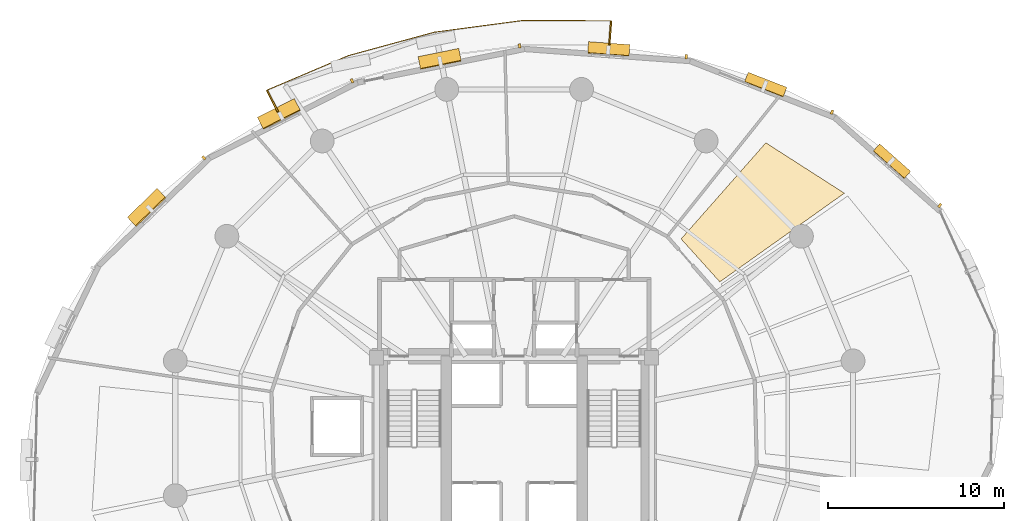
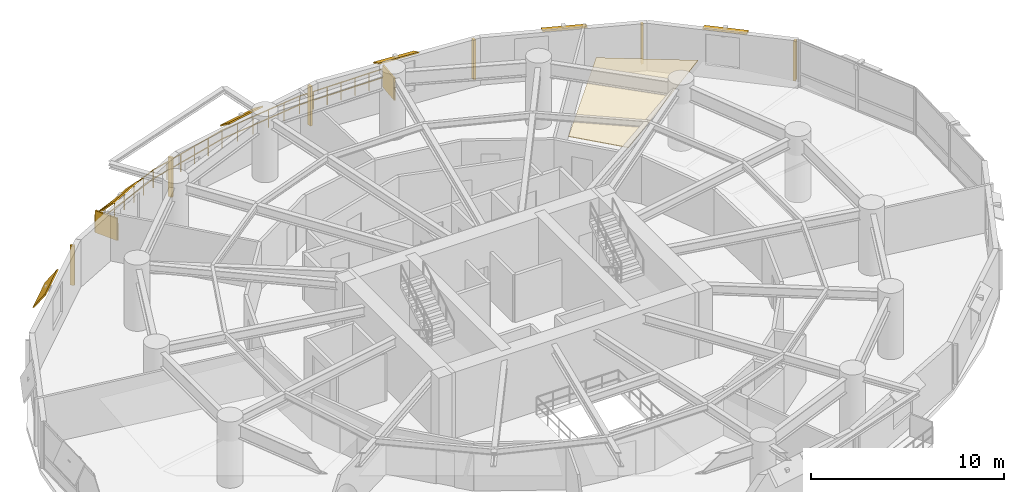
# One storey, part 17 of 17: 14 shading devices, 1 covering, 1 railing.
"""IFC4 building model written with IfcOpenShell, lengths in metres."""

from ifc_helpers import new_model, si_unit, direction, frame, origin, origin_2d, place, context, subcontext, project, spatial, polyline, rectangle, outline, extrude, material, layer, layer_set, type_object, element, save


model = new_model("IFC4")

# Units and contexts
model_context = context("Model", 3, precision=1e-05, world=origin(), true_north=direction((0.0, 1.0)))
body_context = subcontext(model_context, "Body", "Model", "MODEL_VIEW")
ifc_project = project(units=[si_unit("LENGTHUNIT", "METRE"), si_unit("AREAUNIT", "SQUARE_METRE"), si_unit("VOLUMEUNIT", "CUBIC_METRE"), si_unit("PLANEANGLEUNIT", "RADIAN"), si_unit("MASSUNIT", "GRAM", prefix="KILO"), si_unit("THERMODYNAMICTEMPERATUREUNIT", "KELVIN"), si_unit("POWERUNIT", "WATT")], contexts=[model_context])

# Site, building, storey
site_placement = place(None, origin())
site = spatial("IfcSite", under=ifc_project, at=site_placement, CompositionType="ELEMENT")
building_placement = place(site_placement, origin())
building = spatial("IfcBuilding", under=site, at=building_placement, Name="Ocrelia Relay Tower", CompositionType="ELEMENT")
storey_placement = place(building_placement, frame((0.0, 0.0, 80.39990234375)))
storey = spatial("IfcBuildingStorey", under=building, at=storey_placement, Name="L18", CompositionType="ELEMENT", Elevation=80.39990234375)

# Covering
ifc_material_1 = material(Name="Cleanroom metal-pan acoustic ceiling", Category="aluminium")
ifc_layer_1 = layer(ifc_material_1, 0.0400390625, Name="Cleanroom metal-pan acoustic ceiling")
ifc_layer_set_1 = layer_set([ifc_layer_1], Name="Cleanroom metal-pan acoustic ceiling")
covering_type = type_object("IfcCoveringType", Name="COV-CEIL-CLEAN", PredefinedType="CEILING", material=ifc_layer_set_1)
covering_placement = place(storey_placement, frame((0.0, 0.0, 2.920166015625)))
element("IfcCovering", 1, at=covering_placement, inside=storey, type_object=covering_type, Name="L18 Colocation Data Hall A Suspended Ceiling 4", PredefinedType="CEILING", context=body_context, shape_type="SweptSolid", body=[
    extrude(outline(polyline([(45.665283203125, 34.305419921875), (52.73193359375, 39.336669921875), (48.277587890625, 42.19482421875), (43.469970703125, 36.74169921875), (45.665283203125, 34.305419921875)])), origin(), (0.0, 0.0, 1.0), 0.0400390625),
])

# Railing
ifc_material_2 = material(Name="Steel S355 balustrade", Category="steel")
railing_type = type_object("IfcRailingType", Name="RL-EXT-GUARD-1150", PredefinedType="GUARDRAIL", material=ifc_material_2)
railing_placement = place(storey_placement, frame((20.605224609375, 43.938720703125, 0.0)))
element("IfcRailing", 2, at=railing_placement, inside=storey, type_object=railing_type, Name="L18 Loggia Balcony Guard Rail B1", PredefinedType="GUARDRAIL", context=body_context, shape_type="SweptSolid", body=[
    extrude(rectangle(XDim=0.048095703125, YDim=0.048095703125, at=origin_2d()), frame((0.0, 0.0, 1.1259765625), z_axis=(-0.454975235627, 0.89050409037, 0.0), x_axis=(-0.89050409037, -0.454975235627, 0.0)), (0.0, 0.0, 1.0), 1.3935546875),
    extrude(rectangle(XDim=0.048095703125, YDim=0.048095703125, at=origin_2d()), frame((0.0, 0.0, 0.574951171875), z_axis=(-0.454975235627, 0.89050409037, 0.0), x_axis=(-0.89050409037, -0.454975235627, 0.0)), (0.0, 0.0, 1.0), 1.3935546875),
    extrude(rectangle(XDim=0.048095703125, YDim=0.048095703125, at=origin_2d()), frame((-0.634033203125, 1.240966796875, 1.1259765625), z_axis=(0.920340566421, 0.391117938478, 0.0), x_axis=(-0.391117938478, 0.920340566421, 0.0)), (0.0, 0.0, 1.0), 2.5048828125),
    extrude(rectangle(XDim=0.048095703125, YDim=0.048095703125, at=origin_2d()), frame((-0.634033203125, 1.240966796875, 0.574951171875), z_axis=(0.920340566421, 0.391117938478, 0.0), x_axis=(-0.391117938478, 0.920340566421, 0.0)), (0.0, 0.0, 1.0), 2.5048828125),
    extrude(rectangle(XDim=0.048095703125, YDim=0.048095703125, at=origin_2d()), frame((1.67138671875, 2.220703125, 1.1259765625), z_axis=(0.920355473605, 0.39108285849, 0.0), x_axis=(-0.39108285849, 0.920355473605, 0.0)), (0.0, 0.0, 1.0), 2.505126953125),
    extrude(rectangle(XDim=0.048095703125, YDim=0.048095703125, at=origin_2d()), frame((1.67138671875, 2.220703125, 0.574951171875), z_axis=(0.920355473605, 0.39108285849, 0.0), x_axis=(-0.39108285849, 0.920355473605, 0.0)), (0.0, 0.0, 1.0), 2.505126953125),
    extrude(rectangle(XDim=0.048095703125, YDim=0.048095703125, at=origin_2d()), frame((3.97705078125, 3.200439453125, 1.1259765625), z_axis=(0.964811636532, 0.262942020248, 0.0), x_axis=(-0.262942020248, 0.964811636532, 0.0)), (0.0, 0.0, 1.0), 5.06494140625),
    extrude(rectangle(XDim=0.048095703125, YDim=0.048095703125, at=origin_2d()), frame((3.97705078125, 3.200439453125, 0.574951171875), z_axis=(0.964811636532, 0.262942020248, 0.0), x_axis=(-0.262942020248, 0.964811636532, 0.0)), (0.0, 0.0, 1.0), 5.06494140625),
    extrude(rectangle(XDim=0.048095703125, YDim=0.048095703125, at=origin_2d()), frame((8.86376953125, 4.5322265625, 1.1259765625), z_axis=(0.991311471237, 0.131535421063, 0.0), x_axis=(-0.131535421063, 0.991311471237, 0.0)), (0.0, 0.0, 1.0), 5.065185546875),
    extrude(rectangle(XDim=0.048095703125, YDim=0.048095703125, at=origin_2d()), frame((8.86376953125, 4.5322265625, 0.574951171875), z_axis=(0.991311471237, 0.131535421063, 0.0), x_axis=(-0.131535421063, 0.991311471237, 0.0)), (0.0, 0.0, 1.0), 5.065185546875),
    extrude(rectangle(XDim=0.048095703125, YDim=0.048095703125, at=origin_2d()), frame((13.885009765625, 5.198486328125, 1.1259765625), z_axis=(0.999992015683, -0.003996069458, 0.0), x_axis=(0.003996069458, 0.999992015683, 0.0)), (0.0, 0.0, 1.0), 2.5048828125),
    extrude(rectangle(XDim=0.048095703125, YDim=0.048095703125, at=origin_2d()), frame((13.885009765625, 5.198486328125, 0.574951171875), z_axis=(0.999992015683, -0.003996069458, 0.0), x_axis=(0.003996069458, 0.999992015683, 0.0)), (0.0, 0.0, 1.0), 2.5048828125),
    extrude(rectangle(XDim=0.048095703125, YDim=0.048095703125, at=origin_2d()), frame((16.389892578125, 5.1884765625, 1.1259765625), z_axis=(0.999992015683, -0.003996069458, 0.0), x_axis=(0.003996069458, 0.999992015683, 0.0)), (0.0, 0.0, 1.0), 2.5048828125),
    extrude(rectangle(XDim=0.048095703125, YDim=0.048095703125, at=origin_2d()), frame((16.389892578125, 5.1884765625, 0.574951171875), z_axis=(0.999992015683, -0.003996069458, 0.0), x_axis=(0.003996069458, 0.999992015683, 0.0)), (0.0, 0.0, 1.0), 2.5048828125),
    extrude(rectangle(XDim=0.048095703125, YDim=0.048095703125, at=origin_2d()), frame((18.894775390625, 5.178466796875, 1.1259765625), z_axis=(-0.074297682243, -0.997236107656, 0.0), x_axis=(0.997236107656, -0.074297682243, 0.0)), (0.0, 0.0, 1.0), 1.393310546875),
    extrude(rectangle(XDim=0.048095703125, YDim=0.048095703125, at=origin_2d()), frame((18.894775390625, 5.178466796875, 0.574951171875), z_axis=(-0.074297682243, -0.997236107656, 0.0), x_axis=(0.997236107656, -0.074297682243, 0.0)), (0.0, 0.0, 1.0), 1.393310546875),
    extrude(rectangle(XDim=0.0419921875, YDim=0.0419921875, at=origin_2d()), origin(), (0.0, 0.0, 1.0), 1.101806640625),
    extrude(rectangle(XDim=0.0419921875, YDim=0.0419921875, at=origin_2d()), frame((-0.31689453125, 0.62060546875, 0.0)), (0.0, 0.0, 1.0), 1.101806640625),
    extrude(rectangle(XDim=0.0419921875, YDim=0.0419921875, at=origin_2d()), frame((-0.634033203125, 1.240966796875, 0.0)), (0.0, 0.0, 1.0), 1.101806640625),
    extrude(rectangle(XDim=0.0419921875, YDim=0.0419921875, at=origin_2d()), frame((0.134521484375, 1.567626953125, 0.0)), (0.0, 0.0, 1.0), 1.101806640625),
    extrude(rectangle(XDim=0.0419921875, YDim=0.0419921875, at=origin_2d()), frame((0.90283203125, 1.89404296875, 0.0)), (0.0, 0.0, 1.0), 1.101806640625),
    extrude(rectangle(XDim=0.0419921875, YDim=0.0419921875, at=origin_2d()), frame((1.67138671875, 2.220703125, 0.0)), (0.0, 0.0, 1.0), 1.101806640625),
    extrude(rectangle(XDim=0.0419921875, YDim=0.0419921875, at=origin_2d()), frame((2.43994140625, 2.54736328125, 0.0)), (0.0, 0.0, 1.0), 1.101806640625),
    extrude(rectangle(XDim=0.0419921875, YDim=0.0419921875, at=origin_2d()), frame((3.20849609375, 2.873779296875, 0.0)), (0.0, 0.0, 1.0), 1.101806640625),
    extrude(rectangle(XDim=0.0419921875, YDim=0.0419921875, at=origin_2d()), frame((3.97705078125, 3.200439453125, 0.0)), (0.0, 0.0, 1.0), 1.101806640625),
    extrude(rectangle(XDim=0.0419921875, YDim=0.0419921875, at=origin_2d()), frame((4.954345703125, 3.466796875, 0.0)), (0.0, 0.0, 1.0), 1.101806640625),
    extrude(rectangle(XDim=0.0419921875, YDim=0.0419921875, at=origin_2d()), frame((5.931640625, 3.733154296875, 0.0)), (0.0, 0.0, 1.0), 1.101806640625),
    extrude(rectangle(XDim=0.0419921875, YDim=0.0419921875, at=origin_2d()), frame((6.9091796875, 3.99951171875, 0.0)), (0.0, 0.0, 1.0), 1.101806640625),
    extrude(rectangle(XDim=0.0419921875, YDim=0.0419921875, at=origin_2d()), frame((7.886474609375, 4.265869140625, 0.0)), (0.0, 0.0, 1.0), 1.101806640625),
    extrude(rectangle(XDim=0.0419921875, YDim=0.0419921875, at=origin_2d()), frame((8.86376953125, 4.5322265625, 0.0)), (0.0, 0.0, 1.0), 1.101806640625),
    extrude(rectangle(XDim=0.0419921875, YDim=0.0419921875, at=origin_2d()), frame((9.867919921875, 4.66552734375, 0.0)), (0.0, 0.0, 1.0), 1.101806640625),
    extrude(rectangle(XDim=0.0419921875, YDim=0.0419921875, at=origin_2d()), frame((10.872314453125, 4.798828125, 0.0)), (0.0, 0.0, 1.0), 1.101806640625),
    extrude(rectangle(XDim=0.0419921875, YDim=0.0419921875, at=origin_2d()), frame((11.87646484375, 4.931884765625, 0.0)), (0.0, 0.0, 1.0), 1.101806640625),
    extrude(rectangle(XDim=0.0419921875, YDim=0.0419921875, at=origin_2d()), frame((12.880859375, 5.065185546875, 0.0)), (0.0, 0.0, 1.0), 1.101806640625),
    extrude(rectangle(XDim=0.0419921875, YDim=0.0419921875, at=origin_2d()), frame((13.885009765625, 5.198486328125, 0.0)), (0.0, 0.0, 1.0), 1.101806640625),
    extrude(rectangle(XDim=0.0419921875, YDim=0.0419921875, at=origin_2d()), frame((14.719970703125, 5.195068359375, 0.0)), (0.0, 0.0, 1.0), 1.101806640625),
    extrude(rectangle(XDim=0.0419921875, YDim=0.0419921875, at=origin_2d()), frame((15.554931640625, 5.19189453125, 0.0)), (0.0, 0.0, 1.0), 1.101806640625),
    extrude(rectangle(XDim=0.0419921875, YDim=0.0419921875, at=origin_2d()), frame((16.389892578125, 5.1884765625, 0.0)), (0.0, 0.0, 1.0), 1.101806640625),
    extrude(rectangle(XDim=0.0419921875, YDim=0.0419921875, at=origin_2d()), frame((17.224853515625, 5.18505859375, 0.0)), (0.0, 0.0, 1.0), 1.101806640625),
    extrude(rectangle(XDim=0.0419921875, YDim=0.0419921875, at=origin_2d()), frame((18.059814453125, 5.181884765625, 0.0)), (0.0, 0.0, 1.0), 1.101806640625),
    extrude(rectangle(XDim=0.0419921875, YDim=0.0419921875, at=origin_2d()), frame((18.894775390625, 5.178466796875, 0.0)), (0.0, 0.0, 1.0), 1.101806640625),
    extrude(rectangle(XDim=0.0419921875, YDim=0.0419921875, at=origin_2d()), frame((18.843017578125, 4.48388671875, 0.0)), (0.0, 0.0, 1.0), 1.101806640625),
    extrude(rectangle(XDim=0.0419921875, YDim=0.0419921875, at=origin_2d()), frame((18.791259765625, 3.7890625, 0.0)), (0.0, 0.0, 1.0), 1.101806640625),
])

# Shading devices
ifc_material_3 = material(Name="Perforated oxide terracotta solar screen", Category="masonry")
ifc_layer_2 = layer(ifc_material_3, 0.090087890625, Name="Perforated oxide terracotta solar screen")
ifc_layer_set_2 = layer_set([ifc_layer_2], Name="Perforated oxide terracotta solar screen")
shading_device_type_1 = type_object("IfcShadingDeviceType", Name="SH-BALC-SCREEN", PredefinedType="USERDEFINED", material=ifc_layer_set_2)
for number, where, z_axis, x_axis, name in (
    (3, (39.4482421875, 48.422607421875, 0.000244140625), (0.0, 0.0, 1.0), (0.074347492916, 0.997232395331, 0.0), "L18 Balcony Perforated Terracotta Screen B1-1"),
    (4, (20.288330078125, 44.55908203125, 0.000244140625), (0.0, 0.0, 1.0), (-0.454975761825, 0.890503821526, 0.0), "L18 Balcony Perforated Terracotta Screen B1-2"),
):
    element("IfcShadingDevice", number, at=place(storey_placement, frame(where, z_axis=z_axis, x_axis=x_axis)), inside=storey, type_object=shading_device_type_1, Name=name, ObjectType="SCREEN", PredefinedType="USERDEFINED", context=body_context, shape_type="SweptSolid", body=[
        extrude(rectangle(XDim=1.340087890625, YDim=0.090087890625, at=origin_2d()), origin(), (0.0, 0.0, 1.0), 1.39990234375),
    ])
ifc_material_4 = material(Name="Extruded oxide terracotta vertical baguette", Category="masonry")
shading_device_type_2 = type_object("IfcShadingDeviceType", Name="SH-TERR-BAGUETTE", PredefinedType="USERDEFINED", material=ifc_material_4)
for number, where, z_axis, x_axis, name in (
    (5, (58.141357421875, 38.635986328125, 0.25), (0.0, 0.0, 1.0), (-0.747787489768, 0.66393815235, 0.0), "L18 Oxide Terracotta Vertical Baguette 02"),
    (6, (52.02978515625, 43.93212890625, 0.25), (0.0, 0.0, 1.0), (-0.931454217698, 0.363858544399, 0.0), "L18 Oxide Terracotta Vertical Baguette 03"),
    (7, (43.757080078125, 47.076904296875, 0.25), (0.0, 0.0, 1.0), (-0.997337924798, 0.072918199093, 0.0), "L18 Oxide Terracotta Vertical Baguette 04"),
    (8, (34.305419921875, 47.694580078125, 0.25), (0.0, 0.0, 1.0), (-0.980271929721, -0.197653595466, 0.0), "L18 Oxide Terracotta Vertical Baguette 05"),
    (9, (24.803466796875, 45.70458984375, 0.25), (0.0, 0.0, 1.0), (-0.891148286272, -0.453712168533, 0.0), "L18 Oxide Terracotta Vertical Baguette 06"),
    (10, (16.395751953125, 41.3330078125, 0.25), (0.0, 0.0, 1.0), (-0.717671796317, -0.696381499447, 0.0), "L18 Oxide Terracotta Vertical Baguette 07"),
):
    element("IfcShadingDevice", number, at=place(storey_placement, frame(where, z_axis=z_axis, x_axis=x_axis)), inside=storey, type_object=shading_device_type_2, Name=name, ObjectType="BAGUETTE", PredefinedType="USERDEFINED", context=body_context, shape_type="SweptSolid", body=[
        extrude(rectangle(XDim=0.139892578125, YDim=0.239990234375, at=origin_2d()), origin(), (0.0, 0.0, 1.0), 2.5),
    ])
ifc_material_5 = material(Name="Extruded oxide terracotta fin", Category="masonry")
ifc_layer_3 = layer(ifc_material_5, 0.080078125, Name="Extruded oxide terracotta fin")
ifc_layer_set_3 = layer_set([ifc_layer_3], Name="Extruded oxide terracotta fin")
shading_device_type_3 = type_object("IfcShadingDeviceType", Name="SH-VISOR-FIN-DEEP", PredefinedType="USERDEFINED", material=ifc_layer_set_3)
shading_device_1_placement = place(storey_placement, frame((13.177001953125, 38.50146484375, 2.8173828125), z_axis=(-0.573354936805, 0.590883973441, 0.567556381667), x_axis=(-0.717671796317, -0.696381499447, 0.0)))
element("IfcShadingDevice", 11, at=shading_device_1_placement, inside=storey, type_object=shading_device_type_3, Name="L18 Canted Terracotta Sun-Visor Fin 07", ObjectType="FIN", PredefinedType="USERDEFINED", context=body_context, shape_type="SweptSolid", body=[
    extrude(rectangle(XDim=2.35009765625, YDim=1.174072265625, at=origin_2d()), origin(), (0.0, 0.0, 1.0), 0.080078125),
])
ifc_layer_4 = layer(ifc_material_5, 0.080078125, Name="Extruded oxide terracotta fin")
ifc_layer_set_4 = layer_set([ifc_layer_4], Name="Extruded oxide terracotta fin")
shading_device_type_4 = type_object("IfcShadingDeviceType", Name="SH-VISOR-FIN-MED", PredefinedType="USERDEFINED", material=ifc_layer_set_4)
shading_device_2_placement = place(storey_placement, frame((29.779541015625, 46.93115234375, 2.807861328125), z_axis=(-0.117180282101, 0.581160899148, 0.805307885711), x_axis=(-0.980271929721, -0.197653595466, 0.0)))
element("IfcShadingDevice", 12, at=shading_device_2_placement, inside=storey, type_object=shading_device_type_4, Name="L18 Canted Terracotta Sun-Visor Fin 05", ObjectType="FIN", PredefinedType="USERDEFINED", context=body_context, shape_type="SweptSolid", body=[
    extrude(rectangle(XDim=2.35009765625, YDim=0.85595703125, at=origin_2d()), origin(), (0.0, 0.0, 1.0), 0.080078125),
])
shading_device_3_placement = place(storey_placement, frame((20.669189453125, 43.80517578125, 2.812744140625), z_axis=(-0.331337611747, 0.650789124393, 0.683146325917), x_axis=(-0.891148286272, -0.453712168533, 0.0)))
element("IfcShadingDevice", 13, at=shading_device_3_placement, inside=storey, type_object=shading_device_type_4, Name="L18 Canted Terracotta Sun-Visor Fin 06", ObjectType="FIN", PredefinedType="USERDEFINED", context=body_context, shape_type="SweptSolid", body=[
    extrude(rectangle(XDim=2.35009765625, YDim=1.031982421875, at=origin_2d()), origin(), (0.0, 0.0, 1.0), 0.080078125),
])
ifc_layer_5 = layer(ifc_material_5, 0.080078125, Name="Extruded oxide terracotta fin")
ifc_layer_set_5 = layer_set([ifc_layer_5], Name="Extruded oxide terracotta fin")
shading_device_type_5 = type_object("IfcShadingDeviceType", Name="SH-VISOR-FIN-SHAL", PredefinedType="USERDEFINED", material=ifc_layer_set_5)
shading_device_4_placement = place(storey_placement, frame((55.41845703125, 41.140380859375, 2.802001953125), z_axis=(0.209351515883, 0.23579070428, 0.948986136133), x_axis=(-0.747787489768, 0.66393815235, 0.0)))
element("IfcShadingDevice", 14, at=shading_device_4_placement, inside=storey, type_object=shading_device_type_5, Name="L18 Canted Terracotta Sun-Visor Fin 02", ObjectType="FIN", PredefinedType="USERDEFINED", context=body_context, shape_type="SweptSolid", body=[
    extrude(rectangle(XDim=2.35009765625, YDim=0.555908203125, at=origin_2d()), origin(), (0.0, 0.0, 1.0), 0.080078125),
])
shading_device_5_placement = place(storey_placement, frame((48.26318359375, 45.481201171875, 2.802734375), z_axis=(0.13021736071, 0.333347977444, 0.933767939535), x_axis=(-0.931454217698, 0.363858544399, 0.0)))
element("IfcShadingDevice", 15, at=shading_device_5_placement, inside=storey, type_object=shading_device_type_5, Name="L18 Canted Terracotta Sun-Visor Fin 03", ObjectType="FIN", PredefinedType="USERDEFINED", context=body_context, shape_type="SweptSolid", body=[
    extrude(rectangle(XDim=2.35009765625, YDim=0.59912109375, at=origin_2d()), origin(), (0.0, 0.0, 1.0), 0.080078125),
])
shading_device_6_placement = place(storey_placement, frame((39.36767578125, 47.500244140625, 2.804443359375), z_axis=(0.032979374133, 0.451075053535, 0.891876480775), x_axis=(-0.997337924798, 0.072918199093, 0.0)))
element("IfcShadingDevice", 16, at=shading_device_6_placement, inside=storey, type_object=shading_device_type_5, Name="L18 Canted Terracotta Sun-Visor Fin 04", ObjectType="FIN", PredefinedType="USERDEFINED", context=body_context, shape_type="SweptSolid", body=[
    extrude(rectangle(XDim=2.35009765625, YDim=0.697998046875, at=origin_2d()), origin(), (0.0, 0.0, 1.0), 0.080078125),
])

save(model, "model.ifc")
